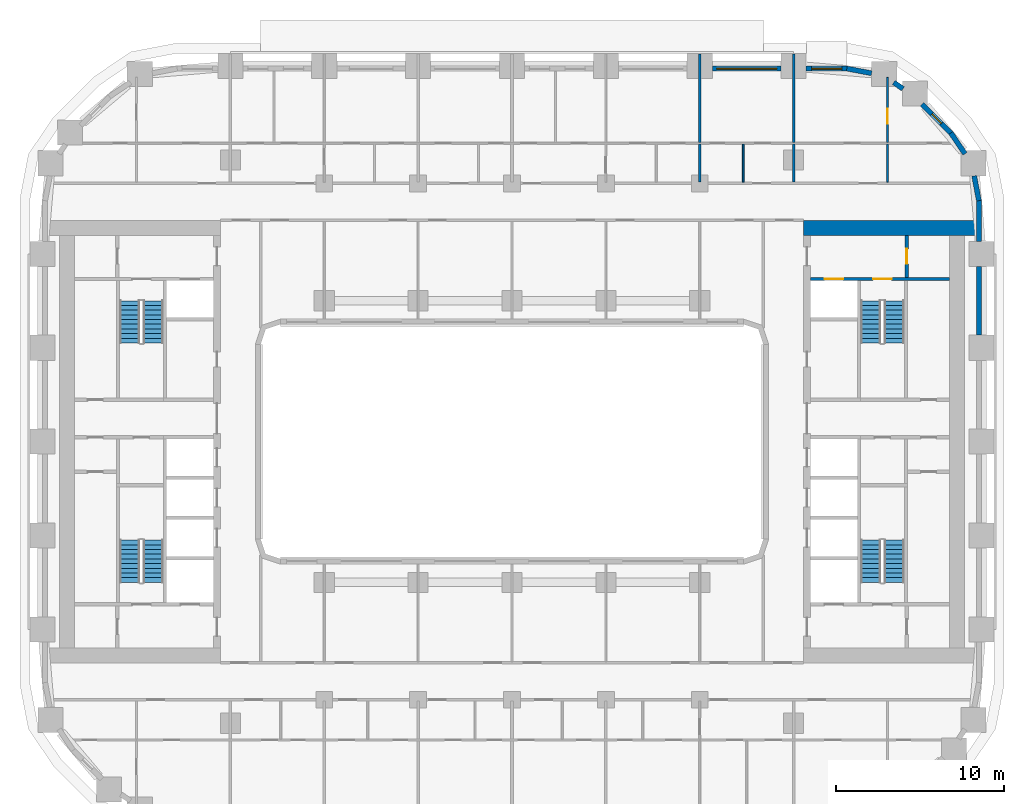
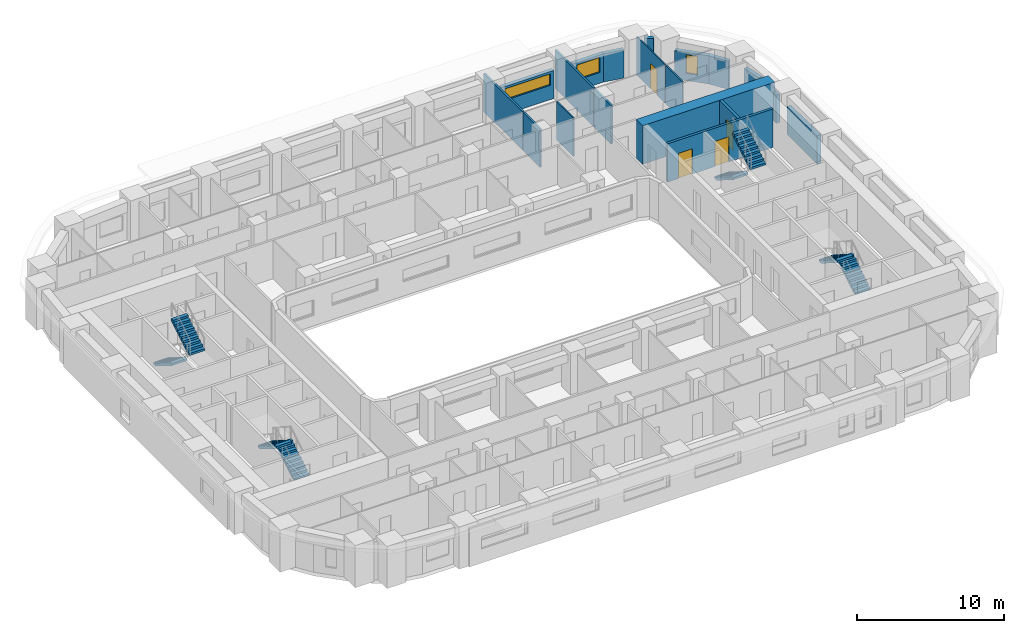
# One storey, part 9 of 20: 19 walls, 8 stair flights, 4 doors, 3 windows, 7 openings, 4 elements without a shape of their own.
"""IFC4 building model written with IfcOpenShell, lengths in metres."""

from ifc_helpers import new_model, si_unit, direction, frame, frame_2d, origin, place, context, subcontext, project, spatial, polyline, rectangle, outline, extrude, material, layer, layer_set, type_object, element, fill, aggregate, save


model = new_model("IFC4")

# Units and contexts
model_context = context("Model", 3, precision=1e-05, world=origin(), true_north=direction((0.0, 1.0)))
body_context = subcontext(model_context, "Body", "Model", "MODEL_VIEW")
ifc_project = project(units=[si_unit("LENGTHUNIT", "METRE"), si_unit("AREAUNIT", "SQUARE_METRE"), si_unit("VOLUMEUNIT", "CUBIC_METRE"), si_unit("PLANEANGLEUNIT", "RADIAN"), si_unit("MASSUNIT", "GRAM", prefix="KILO")], contexts=[model_context])

# Site, building, storey
site_placement = place(None, origin())
site = spatial("IfcSite", under=ifc_project, at=site_placement, CompositionType="ELEMENT")
building_placement = place(site_placement, origin())
building = spatial("IfcBuilding", under=site, at=building_placement, Name="Kiln Ring Residences", CompositionType="ELEMENT")
storey_placement = place(building_placement, frame((0.0, 0.0, 37.5)))
storey = spatial("IfcBuildingStorey", under=building, at=storey_placement, Name="L08", CompositionType="ELEMENT", Elevation=37.5)

# Wall, opening, door
ifc_material_1 = material(Name="Gypsum board on steel studs", Category="steel")
ifc_layer_1 = layer(ifc_material_1, 0.199951171875)
ifc_layer_set_1 = layer_set([ifc_layer_1], Name="CORE-PARTITION-200")
wall_type_1 = type_object("IfcWallType", Name="CORE-PARTITION-200", PredefinedType="PARTITIONING", material=ifc_layer_set_1)
wall_1_placement = place(storey_placement, frame((23.550048828125, 9.800048828125, 0.0), z_axis=(0.0, 0.0, 1.0), x_axis=(0.0, 1.0, 0.0)))
wall_1 = element("IfcWall", 1, at=wall_1_placement, inside=storey, type_object=wall_type_1, Name="Core partition east L08 3", PredefinedType="PARTITIONING", context=body_context, shape_type="SweptSolid", body=[
    extrude(rectangle(XDim=2.5, YDim=0.199951171875, at=frame_2d((1.25, 0.0))), origin(), (0.0, 0.0, 1.0), 3.199951171875),
])
opening_1_placement = place(wall_1_placement, frame((0.800048828125, 0.0, 0.0)))
opening_1 = element("IfcOpeningElement", 2, at=opening_1_placement, cuts=wall_1, Name="Opening L08-CE09", PredefinedType="OPENING", context=body_context, shape_type="SweptSolid", body=[
    extrude(rectangle(XDim=0.89990234375, YDim=2.10009765625, at=frame_2d((0.449951171875, 1.050048828125))), frame((0.0, 0.10986328125, 0.0), z_axis=(0.0, -1.0, 0.0), x_axis=(1.0, 0.0, 0.0)), (0.0, 0.0, 1.0), 0.219970703125),
])
ifc_material_2 = material(Name="Steel door leaf", Category="steel")
door_type_1 = type_object("IfcDoorType", Name="CORE-DOOR-ROOM", OperationType="SINGLE_SWING_LEFT", PredefinedType="DOOR", material=ifc_material_2)
door_1_placement = place(opening_1_placement, origin())
door_1 = element("IfcDoor", 3, at=door_1_placement, inside=storey, type_object=door_type_1, Name="Fire riser room L08-CE09", OperationType="SINGLE_SWING_RIGHT", OverallHeight=2.10009765625, OverallWidth=0.89990234375, PredefinedType="DOOR", context=body_context, shape_type="SweptSolid", body=[
    extrude(rectangle(XDim=0.89990234375, YDim=2.10009765625, at=frame_2d((0.449951171875, 1.050048828125))), frame((0.0, 0.02490234375, 0.0), z_axis=(0.0, -1.0, 0.0), x_axis=(1.0, 0.0, 0.0)), (0.0, 0.0, 1.0), 0.050048828125),
])
fill(opening_1, door_1)

# Wall, openings, doors
ifc_material_3 = material(Name="Concrete C40/50", Category="concrete")
ifc_layer_2 = layer(ifc_material_3, 0.199951171875)
ifc_layer_set_2 = layer_set([ifc_layer_2], Name="CORE-WALL-RC200")
wall_type_2 = type_object("IfcWallType", Name="CORE-WALL-RC200", PredefinedType="SHEAR", material=ifc_layer_set_2)
wall_2_placement = place(storey_placement, frame((17.800048828125, 9.699951171875, 0.0), z_axis=(0.0, 0.0, 1.0), x_axis=(1.0, 0.0, 0.0)))
wall_2 = element("IfcWall", 4, at=wall_2_placement, inside=storey, type_object=wall_type_2, Name="Core wall east L08 9", PredefinedType="SHEAR", context=body_context, shape_type="SweptSolid", body=[
    extrude(rectangle(XDim=8.300048828125, YDim=0.199951171875, at=frame_2d((4.14990234375, 0.0))), origin(), (0.0, 0.0, 1.0), 3.199951171875),
])
opening_2_placement = place(wall_2_placement, frame((0.85009765625, 0.0, 0.0)))
opening_2 = element("IfcOpeningElement", 5, at=opening_2_placement, cuts=wall_2, Name="Opening L08-CE06", PredefinedType="OPENING", context=body_context, shape_type="SweptSolid", body=[
    extrude(rectangle(XDim=1.10009765625, YDim=2.10009765625, at=frame_2d((0.550048828125, 1.050048828125))), frame((0.0, 0.10986328125, 0.0), z_axis=(0.0, -1.0, 0.0), x_axis=(1.0, 0.0, 0.0)), (0.0, 0.0, 1.0), 0.219970703125),
])
opening_3_placement = place(wall_2_placement, frame((3.75, 0.0, 0.0)))
opening_3 = element("IfcOpeningElement", 6, at=opening_3_placement, cuts=wall_2, Name="Opening L08-CE11", PredefinedType="OPENING", context=body_context, shape_type="SweptSolid", body=[
    extrude(rectangle(XDim=1.10009765625, YDim=2.10009765625, at=frame_2d((0.550048828125, 1.050048828125))), frame((0.0, 0.10986328125, 0.0), z_axis=(0.0, -1.0, 0.0), x_axis=(1.0, 0.0, 0.0)), (0.0, 0.0, 1.0), 0.219970703125),
])
ifc_material_4 = material(Name="Steel door leaf", Category="steel")
door_type_2 = type_object("IfcDoorType", Name="CORE-DOOR-LD", OperationType="DOUBLE_DOOR_SLIDING", PredefinedType="DOOR", material=ifc_material_4)
door_2_placement = place(opening_2_placement, origin())
door_2 = element("IfcDoor", 7, at=door_2_placement, inside=storey, type_object=door_type_2, Name="LD E-FF L08-CE06", OperationType="DOUBLE_DOOR_SLIDING", OverallHeight=2.10009765625, OverallWidth=1.10009765625, PredefinedType="DOOR", context=body_context, shape_type="SweptSolid", body=[
    extrude(rectangle(XDim=1.10009765625, YDim=2.10009765625, at=frame_2d((0.550048828125, 1.050048828125))), frame((0.0, 0.02490234375, 0.0), z_axis=(0.0, -1.0, 0.0), x_axis=(1.0, 0.0, 0.0)), (0.0, 0.0, 1.0), 0.050048828125),
])
fill(opening_2, door_2)
ifc_material_5 = material(Name="Steel door leaf", Category="steel")
door_type_3 = type_object("IfcDoorType", Name="CORE-DOOR-STAIR", OperationType="SINGLE_SWING_LEFT", PredefinedType="DOOR", material=ifc_material_5)
door_3_placement = place(opening_3_placement, origin())
door_3 = element("IfcDoor", 8, at=door_3_placement, inside=storey, type_object=door_type_3, Name="Stair E-STN L08-CE11", OperationType="SINGLE_SWING_RIGHT", OverallHeight=2.10009765625, OverallWidth=1.10009765625, PredefinedType="DOOR", context=body_context, shape_type="SweptSolid", body=[
    extrude(rectangle(XDim=1.10009765625, YDim=2.10009765625, at=frame_2d((0.550048828125, 1.050048828125))), frame((0.0, 0.02490234375, 0.0), z_axis=(0.0, -1.0, 0.0), x_axis=(1.0, 0.0, 0.0)), (0.0, 0.0, 1.0), 0.050048828125),
])
fill(opening_3, door_3)

# Walls
ifc_material_6 = material(Name="Concrete C60/75", Category="concrete")
ifc_layer_3 = layer(ifc_material_6, 0.89990234375)
ifc_layer_set_3 = layer_set([ifc_layer_3], Name="CORE-WALL-RC900")
wall_type_3 = type_object("IfcWallType", Name="CORE-WALL-RC900", PredefinedType="SHEAR", material=ifc_layer_set_3)
wall_3_placement = place(storey_placement, frame((17.39990234375, 12.75, 0.0), z_axis=(0.0, 0.0, 1.0), x_axis=(1.0, 0.0, 0.0)))
element("IfcWall", 9, at=wall_3_placement, inside=storey, type_object=wall_type_3, Name="Core wall east L08 4", PredefinedType="SHEAR", context=body_context, shape_type="SweptSolid", body=[
    extrude(rectangle(XDim=10.400146484375, YDim=0.89990234375, at=frame_2d((5.2001953125, 0.0))), origin(), (0.0, 0.0, 1.0), 3.199951171875),
])
ifc_material_7 = material(Name="Brick masonry, dark clay brick", Category="masonry")
ifc_layer_4 = layer(ifc_material_7, 0.300048828125)
ifc_layer_set_4 = layer_set([ifc_layer_4], Name="EW-300 BRICK WALL")
wall_type_4 = type_object("IfcWallType", Name="EW-300 BRICK WALL", PredefinedType="SOLIDWALL", material=ifc_layer_set_4)
wall_4_placement = place(storey_placement, frame((27.85009765625, 6.35009765625, 0.0), z_axis=(0.0, 0.0, 1.0), x_axis=(0.0, 1.0, 0.0)))
element("IfcWall", 10, at=wall_4_placement, inside=storey, type_object=wall_type_4, Name="Facade wall L08 21", PredefinedType="SOLIDWALL", context=body_context, shape_type="SweptSolid", body=[
    extrude(rectangle(XDim=4.099853515625, YDim=0.300048828125, at=frame_2d((2.0498046875, 0.0))), origin(), (0.0, 0.0, 1.0), 2.35009765625),
])
wall_5_placement = place(storey_placement, frame((27.85009765625, 11.949951171875, 0.0), z_axis=(0.0, 0.0, 1.0), x_axis=(0.0, 1.0, 0.0)))
element("IfcWall", 11, at=wall_5_placement, inside=storey, type_object=wall_type_4, Name="Facade wall L08 22", PredefinedType="SOLIDWALL", context=body_context, shape_type="SweptSolid", body=[
    extrude(rectangle(XDim=2.449951171875, YDim=0.300048828125, at=frame_2d((1.22509765625, 0.0))), origin(), (0.0, 0.0, 1.0), 2.35009765625),
])
for number, where, z_axis, x_axis, name in (
    (12, (27.8525390625, 14.371826171875, 0.0), (0.0, 0.0, 1.0), (-0.187223837635, 0.982317277982, 0.0), "Facade wall L08 23"),
    (13, (27.025390625, 17.1669921875, 0.0), (0.0, 0.0, 1.0), (-0.561973021955, 0.827155561303, 0.0), "Facade wall L08 24"),
):
    element("IfcWall", number, at=place(storey_placement, frame(where, z_axis=z_axis, x_axis=x_axis)), inside=storey, type_object=wall_type_4, Name=name, PredefinedType="SOLIDWALL", context=body_context, shape_type="SweptSolid", body=[
        extrude(rectangle(XDim=1.506103515625, YDim=0.300048828125, at=frame_2d((0.7529296875, 0.0))), origin(), (0.0, 0.0, 1.0), 2.35009765625),
    ])

# Wall, opening, window
wall_6_placement = place(storey_placement, frame((26.19677734375, 18.390869140625, 0.0), z_axis=(0.0, 0.0, 1.0), x_axis=(-0.707106781187, 0.707106781187, 0.0)))
wall_6 = element("IfcWall", 14, at=wall_6_placement, inside=storey, type_object=wall_type_4, Name="Facade wall L08 25", PredefinedType="SOLIDWALL", context=body_context, shape_type="SweptSolid", body=[
    extrude(rectangle(XDim=2.449951171875, YDim=0.300048828125, at=frame_2d((1.22509765625, 0.0))), origin(), (0.0, 0.0, 1.0), 2.35009765625),
])
opening_4_placement = place(wall_6_placement, frame((0.824951171875, 0.0, 0.60009765625)))
opening_4 = element("IfcOpeningElement", 15, at=opening_4_placement, cuts=wall_6, Name="Opening W5", PredefinedType="OPENING", context=body_context, shape_type="SweptSolid", body=[
    extrude(rectangle(XDim=0.800048828125, YDim=1.550048828125, at=frame_2d((0.39990234375, 0.77490234375))), frame((0.0, 0.159912109375, 0.0), z_axis=(0.0, -1.0, 0.0), x_axis=(1.0, 0.0, 0.0)), (0.0, 0.0, 1.0), 0.320068359375),
])
ifc_material_8 = material(Name="Aluminium frame with double glazing", Category="aluminium")
window_type_1 = type_object("IfcWindowType", Name="WINDOW 800 x 1550", PartitioningType="SINGLE_PANEL", PredefinedType="WINDOW", material=ifc_material_8)
window_1_placement = place(opening_4_placement, origin())
window_1 = element("IfcWindow", 16, at=window_1_placement, inside=storey, type_object=window_type_1, Name="Window L08 12", OverallHeight=1.550048828125, OverallWidth=0.800048828125, PartitioningType="SINGLE_PANEL", PredefinedType="WINDOW", context=body_context, shape_type="SweptSolid", body=[
    extrude(rectangle(XDim=0.800048828125, YDim=1.550048828125, at=frame_2d((0.39990234375, 0.77490234375))), frame((0.0, 0.030029296875, 0.0), z_axis=(0.0, -1.0, 0.0), x_axis=(1.0, 0.0, 0.0)), (0.0, 0.0, 1.0), 0.06005859375),
])
fill(opening_4, window_1)

# Walls
wall_7_placement = place(storey_placement, frame((23.3271484375, 21.044921875, 0.0), z_axis=(0.0, 0.0, 1.0), x_axis=(-0.827080706709, 0.562083182981, 0.0)))
element("IfcWall", 17, at=wall_7_placement, inside=storey, type_object=wall_type_4, Name="Facade wall L08 26", PredefinedType="SOLIDWALL", context=body_context, shape_type="SweptSolid", body=[
    extrude(rectangle(XDim=0.67724609375, YDim=0.300048828125, at=frame_2d((0.338623046875, 0.0))), origin(), (0.0, 0.0, 1.0), 3.199951171875),
])
wall_8_placement = place(storey_placement, frame((21.451416015625, 21.970458984375, 0.0), z_axis=(0.0, 0.0, 1.0), x_axis=(-0.982287454367, 0.187380247071, 0.0)))
element("IfcWall", 18, at=wall_8_placement, inside=storey, type_object=wall_type_4, Name="Facade wall L08 27", PredefinedType="SOLIDWALL", context=body_context, shape_type="SweptSolid", body=[
    extrude(rectangle(XDim=1.506103515625, YDim=0.300048828125, at=frame_2d((0.7529296875, 0.0))), origin(), (0.0, 0.0, 1.0), 2.35009765625),
])

# Wall, opening, window
wall_9_placement = place(storey_placement, frame((20.0, 22.25, 0.0), z_axis=(0.0, 0.0, 1.0), x_axis=(-1.0, 0.0, 0.0)))
wall_9 = element("IfcWall", 19, at=wall_9_placement, inside=storey, type_object=wall_type_4, Name="Facade wall L08 28", PredefinedType="SOLIDWALL", context=body_context, shape_type="SweptSolid", body=[
    extrude(rectangle(XDim=2.449951171875, YDim=0.300048828125, at=frame_2d((1.22509765625, 0.0))), origin(), (0.0, 0.0, 1.0), 2.35009765625),
])
opening_5_placement = place(wall_9_placement, frame((0.324951171875, 0.0, 0.89990234375)))
opening_5 = element("IfcOpeningElement", 20, at=opening_5_placement, cuts=wall_9, Name="Opening W2", PredefinedType="OPENING", context=body_context, shape_type="SweptSolid", body=[
    extrude(rectangle(XDim=1.800048828125, YDim=1.25, at=frame_2d((0.89990234375, 0.625))), frame((0.0, 0.159912109375, 0.0), z_axis=(0.0, -1.0, 0.0), x_axis=(1.0, 0.0, 0.0)), (0.0, 0.0, 1.0), 0.320068359375),
])
ifc_material_9 = material(Name="Aluminium frame with double glazing", Category="aluminium")
window_type_2 = type_object("IfcWindowType", Name="WINDOW 1800 x 1250", PartitioningType="SINGLE_PANEL", PredefinedType="WINDOW", material=ifc_material_9)
window_2_placement = place(opening_5_placement, origin())
window_2 = element("IfcWindow", 21, at=window_2_placement, inside=storey, type_object=window_type_2, Name="Window L08 13", OverallHeight=1.25, OverallWidth=1.800048828125, PartitioningType="SINGLE_PANEL", PredefinedType="WINDOW", context=body_context, shape_type="SweptSolid", body=[
    extrude(rectangle(XDim=1.800048828125, YDim=1.25, at=frame_2d((0.89990234375, 0.625))), frame((0.0, 0.030029296875, 0.0), z_axis=(0.0, -1.0, 0.0), x_axis=(1.0, 0.0, 0.0)), (0.0, 0.0, 1.0), 0.06005859375),
])
fill(opening_5, window_2)

wall_10_placement = place(storey_placement, frame((16.050048828125, 22.25, 0.0), z_axis=(0.0, 0.0, 1.0), x_axis=(-1.0, 0.0, 0.0)))
wall_10 = element("IfcWall", 22, at=wall_10_placement, inside=storey, type_object=wall_type_4, Name="Facade wall L08 29", PredefinedType="SOLIDWALL", context=body_context, shape_type="SweptSolid", body=[
    extrude(rectangle(XDim=4.10009765625, YDim=0.300048828125, at=frame_2d((2.050048828125, 0.0))), origin(), (0.0, 0.0, 1.0), 2.35009765625),
])
opening_6_placement = place(wall_10_placement, frame((0.25, 0.0, 1.199951171875)))
opening_6 = element("IfcOpeningElement", 23, at=opening_6_placement, cuts=wall_10, Name="Opening W4", PredefinedType="OPENING", context=body_context, shape_type="SweptSolid", body=[
    extrude(rectangle(XDim=3.60009765625, YDim=0.949951171875, at=frame_2d((1.800048828125, 0.47509765625))), frame((0.0, 0.159912109375, 0.0), z_axis=(0.0, -1.0, 0.0), x_axis=(1.0, 0.0, 0.0)), (0.0, 0.0, 1.0), 0.320068359375),
])
ifc_material_10 = material(Name="Aluminium frame with double glazing", Category="aluminium")
window_type_3 = type_object("IfcWindowType", Name="WINDOW 3600 x 950", PartitioningType="SINGLE_PANEL", PredefinedType="WINDOW", material=ifc_material_10)
window_3_placement = place(opening_6_placement, origin())
window_3 = element("IfcWindow", 24, at=window_3_placement, inside=storey, type_object=window_type_3, Name="Window L08 14", OverallHeight=0.949951171875, OverallWidth=3.60009765625, PartitioningType="SINGLE_PANEL", PredefinedType="WINDOW", context=body_context, shape_type="SweptSolid", body=[
    extrude(rectangle(XDim=3.60009765625, YDim=0.949951171875, at=frame_2d((1.800048828125, 0.47509765625))), frame((0.0, 0.030029296875, 0.0), z_axis=(0.0, -1.0, 0.0), x_axis=(1.0, 0.0, 0.0)), (0.0, 0.0, 1.0), 0.06005859375),
])
fill(opening_6, window_3)

# Walls
ifc_material_11 = material(Name="Gypsum board on steel studs", Category="steel")
ifc_layer_5 = layer(ifc_material_11, 0.10009765625)
ifc_layer_set_5 = layer_set([ifc_layer_5], Name="PARTITION-100")
wall_type_5 = type_object("IfcWallType", Name="PARTITION-100", PredefinedType="PARTITIONING", material=ifc_layer_set_5)
for number, where, z_axis, x_axis, name in (
    (25, (13.800048828125, 15.47509765625, 0.0), (0.0, 0.0, 1.0), (0.0, 1.0, 0.0), "Partition 056"),
    (26, (22.39990234375, 15.47509765625, 0.0), (0.0, 0.0, 1.0), (0.0, 1.0, 0.0), "Partition 066"),
):
    element("IfcWall", number, at=place(storey_placement, frame(where, z_axis=z_axis, x_axis=x_axis)), inside=storey, type_object=wall_type_5, Name=name, PredefinedType="PARTITIONING", context=body_context, shape_type="SweptSolid", body=[
        extrude(rectangle(XDim=2.27490234375, YDim=0.10009765625, at=frame_2d((1.137451171875, 0.0))), origin(), (0.0, 0.0, 1.0), 3.199951171875),
    ])

# Wall, opening, door
wall_11_placement = place(storey_placement, frame((22.39990234375, 17.85009765625, 0.0), z_axis=(0.0, 0.0, 1.0), x_axis=(0.0, 1.0, 0.0)))
wall_11 = element("IfcWall", 27, at=wall_11_placement, inside=storey, type_object=wall_type_5, Name="Partition 067", PredefinedType="PARTITIONING", context=body_context, shape_type="SweptSolid", body=[
    extrude(rectangle(XDim=3.869873046875, YDim=0.10009765625, at=frame_2d((1.93505859375, 0.0))), origin(), (0.0, 0.0, 1.0), 3.199951171875),
])
opening_7_placement = place(wall_11_placement, frame((1.10009765625, 0.0, 0.0)))
opening_7 = element("IfcOpeningElement", 28, at=opening_7_placement, cuts=wall_11, Name="Opening L08-D036", PredefinedType="OPENING", context=body_context, shape_type="SweptSolid", body=[
    extrude(rectangle(XDim=0.89990234375, YDim=2.10009765625, at=frame_2d((0.449951171875, 1.050048828125))), frame((0.0, 0.06005859375, 0.0), z_axis=(0.0, -1.0, 0.0), x_axis=(1.0, 0.0, 0.0)), (0.0, 0.0, 1.0), 0.1201171875),
])
ifc_material_12 = material(Name="Timber door leaf", Category="wood")
door_type_4 = type_object("IfcDoorType", Name="FLAT-DOOR-900-PL", OperationType="SINGLE_SWING_LEFT", PredefinedType="DOOR", material=ifc_material_12)
door_4_placement = place(opening_7_placement, origin())
door_4 = element("IfcDoor", 29, at=door_4_placement, inside=storey, type_object=door_type_4, Name="Door L08-D036", OperationType="SINGLE_SWING_LEFT", OverallHeight=2.10009765625, OverallWidth=0.89990234375, PredefinedType="DOOR", context=body_context, shape_type="SweptSolid", body=[
    extrude(rectangle(XDim=0.89990234375, YDim=2.10009765625, at=frame_2d((0.449951171875, 1.050048828125))), frame((0.0, 0.02490234375, 0.0), z_axis=(0.0, -1.0, 0.0), x_axis=(1.0, 0.0, 0.0)), (0.0, 0.0, 1.0), 0.050048828125),
])
fill(opening_7, door_4)

# Walls
ifc_material_13 = material(Name="Brick masonry partition", Category="masonry")
ifc_layer_6 = layer(ifc_material_13, 0.14990234375)
ifc_layer_set_6 = layer_set([ifc_layer_6], Name="PARTITION-150-ei60")
wall_type_6 = type_object("IfcWallType", Name="PARTITION-150-ei60", PredefinedType="PARTITIONING", material=ifc_layer_set_6)
wall_12_placement = place(storey_placement, frame((11.199951171875, 15.47509765625, 0.0), z_axis=(0.0, 0.0, 1.0), x_axis=(0.0, 1.0, 0.0)))
element("IfcWall", 30, at=wall_12_placement, inside=storey, type_object=wall_type_6, Name="Partition 054", PredefinedType="PARTITIONING", context=body_context, shape_type="SweptSolid", body=[
    extrude(rectangle(XDim=2.27490234375, YDim=0.14990234375, at=frame_2d((1.137451171875, 0.0))), origin(), (0.0, 0.0, 1.0), 3.199951171875),
])
wall_13_placement = place(storey_placement, frame((11.199951171875, 17.85009765625, 0.0), z_axis=(0.0, 0.0, 1.0), x_axis=(0.0, 1.0, 0.0)))
element("IfcWall", 31, at=wall_13_placement, inside=storey, type_object=wall_type_6, Name="Partition 055", PredefinedType="PARTITIONING", context=body_context, shape_type="SweptSolid", body=[
    extrude(rectangle(XDim=5.27978515625, YDim=0.14990234375, at=frame_2d((2.639892578125, 0.0))), origin(), (0.0, 0.0, 1.0), 3.199951171875),
])
wall_14_placement = place(storey_placement, frame((16.800048828125, 15.47509765625, 0.0), z_axis=(0.0, 0.0, 1.0), x_axis=(0.0, 1.0, 0.0)))
element("IfcWall", 32, at=wall_14_placement, inside=storey, type_object=wall_type_6, Name="Partition 062", PredefinedType="PARTITIONING", context=body_context, shape_type="SweptSolid", body=[
    extrude(rectangle(XDim=2.27490234375, YDim=0.14990234375, at=frame_2d((1.137451171875, 0.0))), origin(), (0.0, 0.0, 1.0), 3.199951171875),
])
wall_15_placement = place(storey_placement, frame((16.800048828125, 17.85009765625, 0.0), z_axis=(0.0, 0.0, 1.0), x_axis=(0.0, 1.0, 0.0)))
element("IfcWall", 33, at=wall_15_placement, inside=storey, type_object=wall_type_6, Name="Partition 063", PredefinedType="PARTITIONING", context=body_context, shape_type="SweptSolid", body=[
    extrude(rectangle(XDim=5.27978515625, YDim=0.14990234375, at=frame_2d((2.639892578125, 0.0))), origin(), (0.0, 0.0, 1.0), 3.199951171875),
])

# Stair, stair flights
ifc_material_14 = material(Name="Concrete C40/50", Category="concrete")
stair_type = type_object("IfcStairType", Name="CORE-STAIR", PredefinedType="HALF_TURN_STAIR", material=ifc_material_14)
placement = place(storey_placement, origin())
stair_1 = element("IfcStair", 34, at=placement, inside=storey, type_object=stair_type, Name="L08 stair W-STN", PredefinedType="HALF_TURN_STAIR")
ifc_material_15 = material(Name="Concrete C40/50", Category="concrete")
stair_flight_type = type_object("IfcStairFlightType", Name="CORE-STAIR-FLIGHT", PredefinedType="STRAIGHT", material=ifc_material_15)
stair_flight_1_placement = place(storey_placement, frame((-22.800048828125, 8.39990234375, 0.0), z_axis=(0.0, 0.0, 1.0), x_axis=(0.0, -1.0, 0.0)))
stair_flight_1 = element("IfcStairFlight", 35, at=stair_flight_1_placement, type_object=stair_flight_type, Name="W-STN flight 1", NumberOfRisers=10, NumberOfTreads=9, PredefinedType="STRAIGHT", RiserHeight=0.175, TreadLength=0.28, context=body_context, shape_type="SweptSolid", body=[
    extrude(outline(polyline([(0.0, 0.0), (0.0, 0.175048828125), (0.280029296875, 0.175048828125), (0.280029296875, 0.35009765625), (0.56005859375, 0.35009765625), (0.56005859375, 0.52490234375), (0.840087890625, 0.52490234375), (0.840087890625, 0.699951171875), (1.1201171875, 0.699951171875), (1.1201171875, 0.875), (1.39990234375, 0.875), (1.39990234375, 1.050048828125), (1.679931640625, 1.050048828125), (1.679931640625, 1.22509765625), (1.9599609375, 1.22509765625), (1.9599609375, 1.39990234375), (2.239990234375, 1.39990234375), (2.239990234375, 1.574951171875), (2.52001953125, 1.574951171875), (2.52001953125, 1.75), (2.52001953125, 1.398193359375), (0.28271484375, 0.0), (0.0, 0.0)])), frame((0.0, 0.60009765625, 0.0), z_axis=(0.0, -1.0, 0.0), x_axis=(1.0, 0.0, 0.0)), (0.0, 0.0, 1.0), 1.199951171875),
])
stair_flight_2_placement = place(storey_placement, frame((-21.39990234375, 5.8798828125, 1.75), z_axis=(0.0, 0.0, 1.0), x_axis=(0.0, 1.0, 0.0)))
stair_flight_2 = element("IfcStairFlight", 36, at=stair_flight_2_placement, type_object=stair_flight_type, Name="W-STN flight 2", NumberOfRisers=10, NumberOfTreads=9, PredefinedType="STRAIGHT", RiserHeight=0.175, TreadLength=0.28, context=body_context, shape_type="SweptSolid", body=[
    extrude(outline(polyline([(0.0, 0.0), (0.0, 0.175048828125), (0.280029296875, 0.175048828125), (0.280029296875, 0.35009765625), (0.56005859375, 0.35009765625), (0.56005859375, 0.52490234375), (0.840087890625, 0.52490234375), (0.840087890625, 0.699951171875), (1.1201171875, 0.699951171875), (1.1201171875, 0.875), (1.39990234375, 0.875), (1.39990234375, 1.050048828125), (1.679931640625, 1.050048828125), (1.679931640625, 1.22509765625), (1.9599609375, 1.22509765625), (1.9599609375, 1.39990234375), (2.239990234375, 1.39990234375), (2.239990234375, 1.574951171875), (2.52001953125, 1.574951171875), (2.52001953125, 1.75), (2.52001953125, 1.398193359375), (0.28271484375, 0.0), (0.0, 0.0)])), frame((0.0, 0.60009765625, 0.0), z_axis=(0.0, -1.0, 0.0), x_axis=(1.0, 0.0, 0.0)), (0.0, 0.0, 1.0), 1.199951171875),
])
aggregate(stair_1, [stair_flight_1, stair_flight_2])

stair_2 = element("IfcStair", 37, at=placement, inside=storey, type_object=stair_type, Name="L08 stair W-STS", PredefinedType="HALF_TURN_STAIR")
stair_flight_3_placement = place(storey_placement, frame((-21.39990234375, -8.39990234375, 0.0), z_axis=(0.0, 0.0, 1.0), x_axis=(0.0, 1.0, 0.0)))
stair_flight_3 = element("IfcStairFlight", 38, at=stair_flight_3_placement, type_object=stair_flight_type, Name="W-STS flight 1", NumberOfRisers=10, NumberOfTreads=9, PredefinedType="STRAIGHT", RiserHeight=0.175, TreadLength=0.28, context=body_context, shape_type="SweptSolid", body=[
    extrude(outline(polyline([(0.0, 0.0), (0.0, 0.175048828125), (0.280029296875, 0.175048828125), (0.280029296875, 0.35009765625), (0.56005859375, 0.35009765625), (0.56005859375, 0.52490234375), (0.840087890625, 0.52490234375), (0.840087890625, 0.699951171875), (1.1201171875, 0.699951171875), (1.1201171875, 0.875), (1.39990234375, 0.875), (1.39990234375, 1.050048828125), (1.679931640625, 1.050048828125), (1.679931640625, 1.22509765625), (1.9599609375, 1.22509765625), (1.9599609375, 1.39990234375), (2.239990234375, 1.39990234375), (2.239990234375, 1.574951171875), (2.52001953125, 1.574951171875), (2.52001953125, 1.75), (2.52001953125, 1.398193359375), (0.28271484375, 0.0), (0.0, 0.0)])), frame((0.0, 0.60009765625, 0.0), z_axis=(0.0, -1.0, 0.0), x_axis=(1.0, 0.0, 0.0)), (0.0, 0.0, 1.0), 1.199951171875),
])
stair_flight_4_placement = place(storey_placement, frame((-22.800048828125, -5.8798828125, 1.75), z_axis=(0.0, 0.0, 1.0), x_axis=(0.0, -1.0, 0.0)))
stair_flight_4 = element("IfcStairFlight", 39, at=stair_flight_4_placement, type_object=stair_flight_type, Name="W-STS flight 2", NumberOfRisers=10, NumberOfTreads=9, PredefinedType="STRAIGHT", RiserHeight=0.175, TreadLength=0.28, context=body_context, shape_type="SweptSolid", body=[
    extrude(outline(polyline([(0.0, 0.0), (0.0, 0.175048828125), (0.280029296875, 0.175048828125), (0.280029296875, 0.35009765625), (0.56005859375, 0.35009765625), (0.56005859375, 0.52490234375), (0.840087890625, 0.52490234375), (0.840087890625, 0.699951171875), (1.1201171875, 0.699951171875), (1.1201171875, 0.875), (1.39990234375, 0.875), (1.39990234375, 1.050048828125), (1.679931640625, 1.050048828125), (1.679931640625, 1.22509765625), (1.9599609375, 1.22509765625), (1.9599609375, 1.39990234375), (2.239990234375, 1.39990234375), (2.239990234375, 1.574951171875), (2.52001953125, 1.574951171875), (2.52001953125, 1.75), (2.52001953125, 1.398193359375), (0.28271484375, 0.0), (0.0, 0.0)])), frame((0.0, 0.60009765625, 0.0), z_axis=(0.0, -1.0, 0.0), x_axis=(1.0, 0.0, 0.0)), (0.0, 0.0, 1.0), 1.199951171875),
])
aggregate(stair_2, [stair_flight_3, stair_flight_4])

stair_3 = element("IfcStair", 40, at=placement, inside=storey, type_object=stair_type, Name="L08 stair E-STN", PredefinedType="HALF_TURN_STAIR")
stair_flight_5_placement = place(storey_placement, frame((21.39990234375, 8.39990234375, 0.0), z_axis=(0.0, 0.0, 1.0), x_axis=(0.0, -1.0, 0.0)))
stair_flight_5 = element("IfcStairFlight", 41, at=stair_flight_5_placement, type_object=stair_flight_type, Name="E-STN flight 1", NumberOfRisers=10, NumberOfTreads=9, PredefinedType="STRAIGHT", RiserHeight=0.175, TreadLength=0.28, context=body_context, shape_type="SweptSolid", body=[
    extrude(outline(polyline([(0.0, 0.0), (0.0, 0.175048828125), (0.280029296875, 0.175048828125), (0.280029296875, 0.35009765625), (0.56005859375, 0.35009765625), (0.56005859375, 0.52490234375), (0.840087890625, 0.52490234375), (0.840087890625, 0.699951171875), (1.1201171875, 0.699951171875), (1.1201171875, 0.875), (1.39990234375, 0.875), (1.39990234375, 1.050048828125), (1.679931640625, 1.050048828125), (1.679931640625, 1.22509765625), (1.9599609375, 1.22509765625), (1.9599609375, 1.39990234375), (2.239990234375, 1.39990234375), (2.239990234375, 1.574951171875), (2.52001953125, 1.574951171875), (2.52001953125, 1.75), (2.52001953125, 1.398193359375), (0.28271484375, 0.0), (0.0, 0.0)])), frame((0.0, 0.60009765625, 0.0), z_axis=(0.0, -1.0, 0.0), x_axis=(1.0, 0.0, 0.0)), (0.0, 0.0, 1.0), 1.199951171875),
])
stair_flight_6_placement = place(storey_placement, frame((22.800048828125, 5.8798828125, 1.75), z_axis=(0.0, 0.0, 1.0), x_axis=(0.0, 1.0, 0.0)))
stair_flight_6 = element("IfcStairFlight", 42, at=stair_flight_6_placement, type_object=stair_flight_type, Name="E-STN flight 2", NumberOfRisers=10, NumberOfTreads=9, PredefinedType="STRAIGHT", RiserHeight=0.175, TreadLength=0.28, context=body_context, shape_type="SweptSolid", body=[
    extrude(outline(polyline([(0.0, 0.0), (0.0, 0.175048828125), (0.280029296875, 0.175048828125), (0.280029296875, 0.35009765625), (0.56005859375, 0.35009765625), (0.56005859375, 0.52490234375), (0.840087890625, 0.52490234375), (0.840087890625, 0.699951171875), (1.1201171875, 0.699951171875), (1.1201171875, 0.875), (1.39990234375, 0.875), (1.39990234375, 1.050048828125), (1.679931640625, 1.050048828125), (1.679931640625, 1.22509765625), (1.9599609375, 1.22509765625), (1.9599609375, 1.39990234375), (2.239990234375, 1.39990234375), (2.239990234375, 1.574951171875), (2.52001953125, 1.574951171875), (2.52001953125, 1.75), (2.52001953125, 1.398193359375), (0.28271484375, 0.0), (0.0, 0.0)])), frame((0.0, 0.60009765625, 0.0), z_axis=(0.0, -1.0, 0.0), x_axis=(1.0, 0.0, 0.0)), (0.0, 0.0, 1.0), 1.199951171875),
])
aggregate(stair_3, [stair_flight_5, stair_flight_6])

stair_4 = element("IfcStair", 43, at=placement, inside=storey, type_object=stair_type, Name="L08 stair E-STS", PredefinedType="HALF_TURN_STAIR")
stair_flight_7_placement = place(storey_placement, frame((22.800048828125, -8.39990234375, 0.0), z_axis=(0.0, 0.0, 1.0), x_axis=(0.0, 1.0, 0.0)))
stair_flight_7 = element("IfcStairFlight", 44, at=stair_flight_7_placement, type_object=stair_flight_type, Name="E-STS flight 1", NumberOfRisers=10, NumberOfTreads=9, PredefinedType="STRAIGHT", RiserHeight=0.175, TreadLength=0.28, context=body_context, shape_type="SweptSolid", body=[
    extrude(outline(polyline([(0.0, 0.0), (0.0, 0.175048828125), (0.280029296875, 0.175048828125), (0.280029296875, 0.35009765625), (0.56005859375, 0.35009765625), (0.56005859375, 0.52490234375), (0.840087890625, 0.52490234375), (0.840087890625, 0.699951171875), (1.1201171875, 0.699951171875), (1.1201171875, 0.875), (1.39990234375, 0.875), (1.39990234375, 1.050048828125), (1.679931640625, 1.050048828125), (1.679931640625, 1.22509765625), (1.9599609375, 1.22509765625), (1.9599609375, 1.39990234375), (2.239990234375, 1.39990234375), (2.239990234375, 1.574951171875), (2.52001953125, 1.574951171875), (2.52001953125, 1.75), (2.52001953125, 1.398193359375), (0.28271484375, 0.0), (0.0, 0.0)])), frame((0.0, 0.60009765625, 0.0), z_axis=(0.0, -1.0, 0.0), x_axis=(1.0, 0.0, 0.0)), (0.0, 0.0, 1.0), 1.199951171875),
])
stair_flight_8_placement = place(storey_placement, frame((21.39990234375, -5.8798828125, 1.75), z_axis=(0.0, 0.0, 1.0), x_axis=(0.0, -1.0, 0.0)))
stair_flight_8 = element("IfcStairFlight", 45, at=stair_flight_8_placement, type_object=stair_flight_type, Name="E-STS flight 2", NumberOfRisers=10, NumberOfTreads=9, PredefinedType="STRAIGHT", RiserHeight=0.175, TreadLength=0.28, context=body_context, shape_type="SweptSolid", body=[
    extrude(outline(polyline([(0.0, 0.0), (0.0, 0.175048828125), (0.280029296875, 0.175048828125), (0.280029296875, 0.35009765625), (0.56005859375, 0.35009765625), (0.56005859375, 0.52490234375), (0.840087890625, 0.52490234375), (0.840087890625, 0.699951171875), (1.1201171875, 0.699951171875), (1.1201171875, 0.875), (1.39990234375, 0.875), (1.39990234375, 1.050048828125), (1.679931640625, 1.050048828125), (1.679931640625, 1.22509765625), (1.9599609375, 1.22509765625), (1.9599609375, 1.39990234375), (2.239990234375, 1.39990234375), (2.239990234375, 1.574951171875), (2.52001953125, 1.574951171875), (2.52001953125, 1.75), (2.52001953125, 1.398193359375), (0.28271484375, 0.0), (0.0, 0.0)])), frame((0.0, 0.60009765625, 0.0), z_axis=(0.0, -1.0, 0.0), x_axis=(1.0, 0.0, 0.0)), (0.0, 0.0, 1.0), 1.199951171875),
])
aggregate(stair_4, [stair_flight_7, stair_flight_8])

save(model, "model.ifc")
